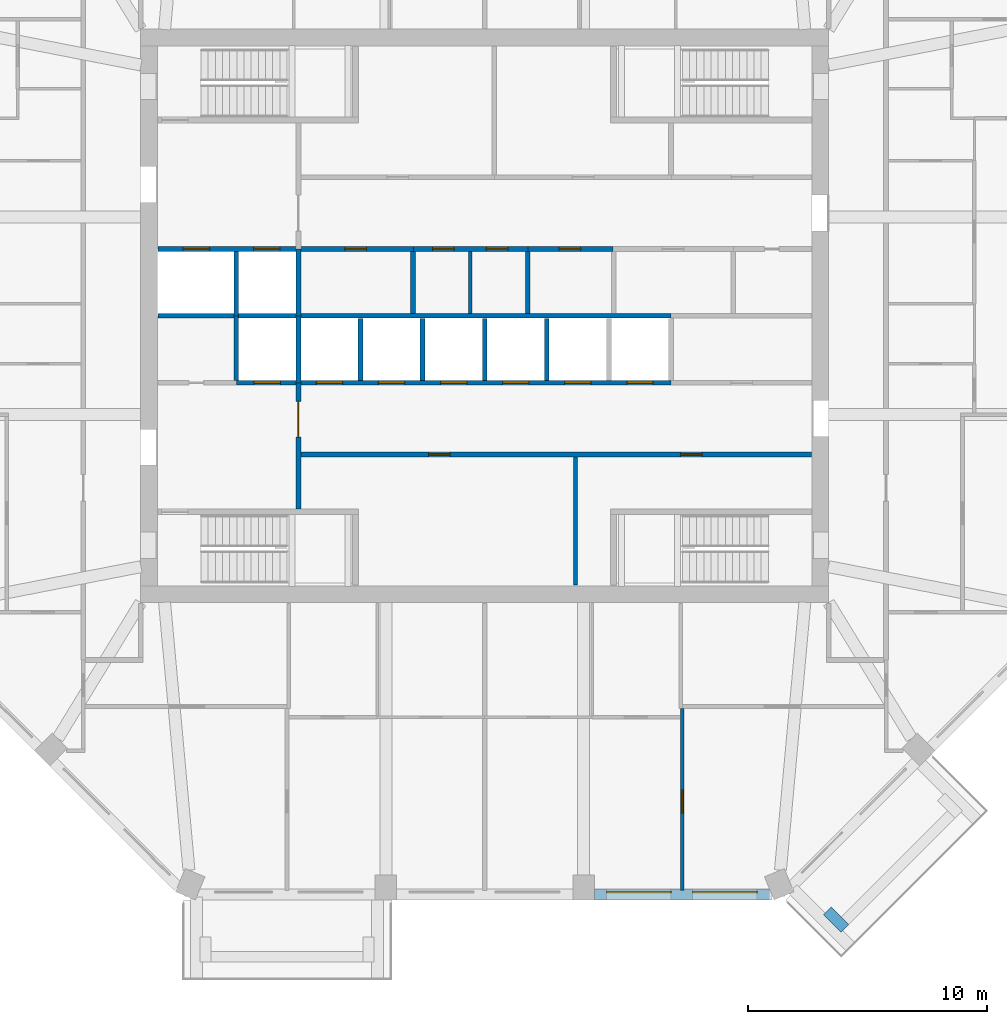
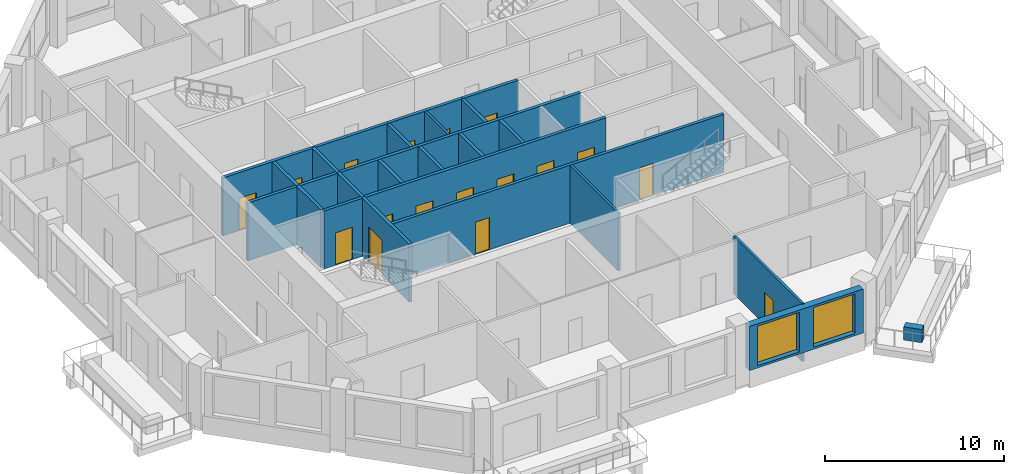
# One storey, part 4 of 10: 23 walls, 17 doors, 2 windows, 19 openings.
"""IFC4 building model written with IfcOpenShell, lengths in metres."""

from ifc_helpers import new_model, si_unit, direction, frame, frame_2d, origin, place, context, subcontext, project, spatial, rectangle, extrude, material, layer, layer_set, type_object, element, fill, save


model = new_model("IFC4")

# Units and contexts
model_context = context("Model", 3, precision=1e-05, world=origin(), true_north=direction((0.0, 1.0)))
body_context = subcontext(model_context, "Body", "Model", "MODEL_VIEW")
ifc_project = project(units=[si_unit("LENGTHUNIT", "METRE"), si_unit("AREAUNIT", "SQUARE_METRE"), si_unit("VOLUMEUNIT", "CUBIC_METRE"), si_unit("PLANEANGLEUNIT", "RADIAN"), si_unit("MASSUNIT", "GRAM", prefix="KILO")], contexts=[model_context])

# Site, building, storey
site_placement = place(None, origin())
site = spatial("IfcSite", under=ifc_project, at=site_placement, CompositionType="ELEMENT")
building_placement = place(site_placement, origin())
building = spatial("IfcBuilding", under=site, at=building_placement, Name="Msitu Wima Residences", CompositionType="ELEMENT")
storey_placement = place(building_placement, frame((0.0, 0.0, 191.699951171875)))
storey = spatial("IfcBuildingStorey", under=building, at=storey_placement, Name="L44", CompositionType="ELEMENT", Elevation=191.699951171875)

# Wall
ifc_material_1 = material(Name="Facing brick")
ifc_layer_1 = layer(ifc_material_1, 0.06494140625, Name="Facing brick")
ifc_material_2 = material(Name="Concrete C40/50", Category="concrete")
ifc_layer_2 = layer(ifc_material_2, 0.156005859375, Name="Concrete C40/50")
ifc_material_3 = material(Name="Waterproofing membrane")
ifc_layer_3 = layer(ifc_material_3, 0.00390625, Name="Waterproofing membrane")
ifc_material_4 = material(Name="Planting soil and planting")
ifc_layer_4 = layer(ifc_material_4, 0.22509765625, Name="Planting soil and planting")
ifc_layer_set_1 = layer_set([ifc_layer_1, ifc_layer_2, ifc_layer_3, ifc_layer_4], Name="Concrete C40/50")
wall_type_1 = type_object("IfcWallType", Name="Balcony planter PLANTER PL450", PredefinedType="USERDEFINED", material=ifc_layer_set_1)
wall_1_placement = place(storey_placement, frame((14.338623046875, -24.901611328125, 0.0), z_axis=(0.0, 0.0, 1.0), x_axis=(0.707106781187, -0.707106781187, 0.0)))
element("IfcWall", 1, at=wall_1_placement, inside=storey, type_object=wall_type_1, Name="Balcony planter SE0 L44", ObjectType="PLANTER", PredefinedType="USERDEFINED", context=body_context, shape_type="SweptSolid", body=[
    extrude(rectangle(XDim=1.050048828125, YDim=0.449951171875, at=frame_2d((0.52490234375, 0.0))), origin(), (0.0, 0.0, 1.0), 0.900146484375),
])

# Wall, openings, windows
ifc_material_5 = material(Name="Brick (red buff mix)", Category="masonry")
ifc_layer_5 = layer(ifc_material_5, 0.449951171875)
ifc_layer_set_2 = layer_set([ifc_layer_5], Name="Brick (red buff mix)")
wall_type_2 = type_object("IfcWallType", Name="Brick infill wall BW450", PredefinedType="SOLIDWALL", material=ifc_layer_set_2)
wall_2_placement = place(storey_placement, frame((4.587158203125, -24.22509765625, 0.900146484375), z_axis=(0.0, 0.0, 1.0), x_axis=(1.0, 0.0, 0.0)))
wall_2 = element("IfcWall", 2, at=wall_2_placement, inside=storey, type_object=wall_type_2, Name="Brick infill wall L44 S2", PredefinedType="SOLIDWALL", context=body_context, shape_type="SweptSolid", body=[
    extrude(rectangle(XDim=7.337646484375, YDim=0.449951171875, at=frame_2d((3.6689453125, 0.0))), origin(), (0.0, 0.0, 1.0), 3.0),
])
opening_1_placement = place(wall_2_placement, frame((0.518798828125, 0.0, 0.14990234375)))
opening_1 = element("IfcOpeningElement", 3, at=opening_1_placement, cuts=wall_2, Name="Opening W43-45.020", PredefinedType="OPENING", context=body_context, shape_type="SweptSolid", body=[
    extrude(rectangle(XDim=2.699951171875, YDim=2.699951171875, at=frame_2d((1.35009765625, 1.35009765625))), frame((0.0, 0.23486328125, 0.0), z_axis=(0.0, -1.0, 0.0), x_axis=(1.0, 0.0, 0.0)), (0.0, 0.0, 1.0), 0.469970703125),
])
opening_2_placement = place(wall_2_placement, frame((4.11865234375, 0.0, 0.14990234375)))
opening_2 = element("IfcOpeningElement", 4, at=opening_2_placement, cuts=wall_2, Name="Opening W43-45.021", PredefinedType="OPENING", context=body_context, shape_type="SweptSolid", body=[
    extrude(rectangle(XDim=2.699951171875, YDim=2.699951171875, at=frame_2d((1.35009765625, 1.35009765625))), frame((0.0, 0.23486328125, 0.0), z_axis=(0.0, -1.0, 0.0), x_axis=(1.0, 0.0, 0.0)), (0.0, 0.0, 1.0), 0.469970703125),
])
ifc_material_6 = material(Name="Anodised aluminium, bronze finish, clear low-emissivity double glazing", Category="aluminium")
window_type = type_object("IfcWindowType", Name="Window W2700x2700", PartitioningType="DOUBLE_PANEL_VERTICAL", PredefinedType="WINDOW", material=ifc_material_6)
window_1_placement = place(opening_1_placement, origin())
window_1 = element("IfcWindow", 5, at=window_1_placement, inside=storey, type_object=window_type, Name="Window L44 S2.1", OverallHeight=2.699951171875, OverallWidth=2.699951171875, PartitioningType="SINGLE_PANEL", PredefinedType="WINDOW", context=body_context, shape_type="SweptSolid", body=[
    extrude(rectangle(XDim=2.699951171875, YDim=2.699951171875, at=frame_2d((1.35009765625, 1.35009765625))), frame((0.0, 0.135009765625, 0.0), z_axis=(0.0, -1.0, 0.0), x_axis=(1.0, 0.0, 0.0)), (0.0, 0.0, 1.0), 0.06005859375),
])
fill(opening_1, window_1)
window_2_placement = place(opening_2_placement, origin())
window_2 = element("IfcWindow", 6, at=window_2_placement, inside=storey, type_object=window_type, Name="Window L44 S2.2", OverallHeight=2.699951171875, OverallWidth=2.699951171875, PartitioningType="SINGLE_PANEL", PredefinedType="WINDOW", context=body_context, shape_type="SweptSolid", body=[
    extrude(rectangle(XDim=2.699951171875, YDim=2.699951171875, at=frame_2d((1.35009765625, 1.35009765625))), frame((0.0, 0.135009765625, 0.0), z_axis=(0.0, -1.0, 0.0), x_axis=(1.0, 0.0, 0.0)), (0.0, 0.0, 1.0), 0.06005859375),
])
fill(opening_2, window_2)

# Wall, opening, door
ifc_material_7 = material(Name="Plaster")
ifc_layer_6 = layer(ifc_material_7, 0.011962890625, Name="Plaster")
ifc_material_8 = material(Name="Concrete blockwork", Category="masonry")
ifc_layer_7 = layer(ifc_material_8, 0.176025390625, Name="Concrete blockwork")
ifc_layer_8 = layer(ifc_material_7, 0.011962890625, Name="Plaster")
ifc_layer_set_3 = layer_set([ifc_layer_6, ifc_layer_7, ifc_layer_8], Name="Concrete blockwork")
wall_type_3 = type_object("IfcWallType", Name="Corridor wall FW200", PredefinedType="PARTITIONING", material=ifc_layer_set_3)
wall_3_placement = place(storey_placement, frame((-7.800048828125, -8.074951171875, 0.0), z_axis=(0.0, 0.0, 1.0), x_axis=(0.0, 1.0, 0.0)))
wall_3 = element("IfcWall", 7, at=wall_3_placement, inside=storey, type_object=wall_type_3, Name="Corridor wall", PredefinedType="PARTITIONING", context=body_context, shape_type="SweptSolid", body=[
    extrude(rectangle(XDim=5.27490234375, YDim=0.199951171875, at=frame_2d((2.637451171875, 0.0))), origin(), (0.0, 0.0, 1.0), 3.949951171875),
])
opening_3_placement = place(wall_3_placement, frame((3.0, 0.0, 0.0)))
opening_3 = element("IfcOpeningElement", 8, at=opening_3_placement, cuts=wall_3, Name="Opening D43-45.054", PredefinedType="OPENING", context=body_context, shape_type="SweptSolid", body=[
    extrude(rectangle(XDim=1.5, YDim=2.39990234375, at=frame_2d((0.75, 1.199951171875))), frame((0.0, 0.10986328125, 0.0), z_axis=(0.0, -1.0, 0.0), x_axis=(1.0, 0.0, 0.0)), (0.0, 0.0, 1.0), 0.219970703125),
])
ifc_material_9 = material(Name="Steel framed glazed door, fire resisting", Category="steel")
door_type_1 = type_object("IfcDoorType", Name="Lobby door D07 1500x2400", OperationType="DOUBLE_DOOR_SINGLE_SWING", PredefinedType="DOOR", material=ifc_material_9)
door_1_placement = place(opening_3_placement, origin())
door_1 = element("IfcDoor", 9, at=door_1_placement, inside=storey, type_object=door_type_1, Name="Lobby door", OperationType="DOUBLE_DOOR_SINGLE_SWING", OverallHeight=2.39990234375, OverallWidth=1.5, PredefinedType="DOOR", context=body_context, shape_type="SweptSolid", body=[
    extrude(rectangle(XDim=1.5, YDim=2.39990234375, at=frame_2d((0.75, 1.199951171875))), frame((0.0, 0.02490234375, 0.0), z_axis=(0.0, -1.0, 0.0), x_axis=(1.0, 0.0, 0.0)), (0.0, 0.0, 1.0), 0.050048828125),
])
fill(opening_3, door_1)

# Wall, openings, doors
wall_4_placement = place(storey_placement, frame((-7.699951171875, -5.800048828125, 0.0), z_axis=(0.0, 0.0, 1.0), x_axis=(1.0, 0.0, 0.0)))
wall_4 = element("IfcWall", 10, at=wall_4_placement, inside=storey, type_object=wall_type_3, Name="Corridor wall", PredefinedType="PARTITIONING", context=body_context, shape_type="SweptSolid", body=[
    extrude(rectangle(XDim=21.369873046875, YDim=0.199951171875, at=frame_2d((10.68505859375, 0.0))), origin(), (0.0, 0.0, 1.0), 3.949951171875),
])
opening_4_placement = place(wall_4_placement, frame((5.35009765625, 0.0, 0.0)))
opening_4 = element("IfcOpeningElement", 11, at=opening_4_placement, cuts=wall_4, Name="Opening D43-45.058", PredefinedType="OPENING", context=body_context, shape_type="SweptSolid", body=[
    extrude(rectangle(XDim=0.89990234375, YDim=2.199951171875, at=frame_2d((0.449951171875, 1.10009765625))), frame((0.0, 0.10986328125, 0.0), z_axis=(0.0, -1.0, 0.0), x_axis=(1.0, 0.0, 0.0)), (0.0, 0.0, 1.0), 0.219970703125),
])
opening_5_placement = place(wall_4_placement, frame((15.89990234375, 0.0, 0.0)))
opening_5 = element("IfcOpeningElement", 12, at=opening_5_placement, cuts=wall_4, Name="Opening D43-45.059", PredefinedType="OPENING", context=body_context, shape_type="SweptSolid", body=[
    extrude(rectangle(XDim=0.89990234375, YDim=2.199951171875, at=frame_2d((0.449951171875, 1.10009765625))), frame((0.0, 0.10986328125, 0.0), z_axis=(0.0, -1.0, 0.0), x_axis=(1.0, 0.0, 0.0)), (0.0, 0.0, 1.0), 0.219970703125),
])
ifc_material_10 = material(Name="Timber flush door", Category="wood")
door_type_2 = type_object("IfcDoorType", Name="Service door D05 900x2200", OperationType="SINGLE_SWING_LEFT", PredefinedType="DOOR", material=ifc_material_10)
door_2_placement = place(opening_4_placement, origin())
door_2 = element("IfcDoor", 13, at=door_2_placement, inside=storey, type_object=door_type_2, Name="Service door", OperationType="SINGLE_SWING_RIGHT", OverallHeight=2.199951171875, OverallWidth=0.89990234375, PredefinedType="DOOR", context=body_context, shape_type="SweptSolid", body=[
    extrude(rectangle(XDim=0.89990234375, YDim=2.199951171875, at=frame_2d((0.449951171875, 1.10009765625))), frame((0.0, 0.02490234375, 0.0), z_axis=(0.0, -1.0, 0.0), x_axis=(1.0, 0.0, 0.0)), (0.0, 0.0, 1.0), 0.050048828125),
])
fill(opening_4, door_2)
door_3_placement = place(opening_5_placement, origin())
door_3 = element("IfcDoor", 14, at=door_3_placement, inside=storey, type_object=door_type_2, Name="Service door", OperationType="SINGLE_SWING_LEFT", OverallHeight=2.199951171875, OverallWidth=0.89990234375, PredefinedType="DOOR", context=body_context, shape_type="SweptSolid", body=[
    extrude(rectangle(XDim=0.89990234375, YDim=2.199951171875, at=frame_2d((0.449951171875, 1.10009765625))), frame((0.0, 0.02490234375, 0.0), z_axis=(0.0, -1.0, 0.0), x_axis=(1.0, 0.0, 0.0)), (0.0, 0.0, 1.0), 0.050048828125),
])
fill(opening_5, door_3)

wall_5_placement = place(storey_placement, frame((-2.97998046875, 2.800048828125, 0.0), z_axis=(0.0, 0.0, 1.0), x_axis=(1.0, 0.0, 0.0)))
wall_5 = element("IfcWall", 15, at=wall_5_placement, inside=storey, type_object=wall_type_3, Name="Corridor wall", PredefinedType="PARTITIONING", context=body_context, shape_type="SweptSolid", body=[
    extrude(rectangle(XDim=4.800048828125, YDim=0.199951171875, at=frame_2d((2.39990234375, 0.0))), origin(), (0.0, 0.0, 1.0), 3.949951171875),
])
opening_6_placement = place(wall_5_placement, frame((0.800048828125, 0.0, 0.0)))
opening_6 = element("IfcOpeningElement", 16, at=opening_6_placement, cuts=wall_5, Name="Opening D43-45.063", PredefinedType="OPENING", context=body_context, shape_type="SweptSolid", body=[
    extrude(rectangle(XDim=0.89990234375, YDim=2.199951171875, at=frame_2d((0.449951171875, 1.10009765625))), frame((0.0, 0.10986328125, 0.0), z_axis=(0.0, -1.0, 0.0), x_axis=(1.0, 0.0, 0.0)), (0.0, 0.0, 1.0), 0.219970703125),
])
opening_7_placement = place(wall_5_placement, frame((3.050048828125, 0.0, 0.0)))
opening_7 = element("IfcOpeningElement", 17, at=opening_7_placement, cuts=wall_5, Name="Opening D43-45.064", PredefinedType="OPENING", context=body_context, shape_type="SweptSolid", body=[
    extrude(rectangle(XDim=0.89990234375, YDim=2.199951171875, at=frame_2d((0.449951171875, 1.10009765625))), frame((0.0, 0.10986328125, 0.0), z_axis=(0.0, -1.0, 0.0), x_axis=(1.0, 0.0, 0.0)), (0.0, 0.0, 1.0), 0.219970703125),
])
door_4_placement = place(opening_6_placement, origin())
door_4 = element("IfcDoor", 18, at=door_4_placement, inside=storey, type_object=door_type_2, Name="Service door", OperationType="SINGLE_SWING_LEFT", OverallHeight=2.199951171875, OverallWidth=0.89990234375, PredefinedType="DOOR", context=body_context, shape_type="SweptSolid", body=[
    extrude(rectangle(XDim=0.89990234375, YDim=2.199951171875, at=frame_2d((0.449951171875, 1.10009765625))), frame((0.0, 0.02490234375, 0.0), z_axis=(0.0, -1.0, 0.0), x_axis=(1.0, 0.0, 0.0)), (0.0, 0.0, 1.0), 0.050048828125),
])
fill(opening_6, door_4)
door_5_placement = place(opening_7_placement, origin())
door_5 = element("IfcDoor", 19, at=door_5_placement, inside=storey, type_object=door_type_2, Name="Service door", OperationType="SINGLE_SWING_RIGHT", OverallHeight=2.199951171875, OverallWidth=0.89990234375, PredefinedType="DOOR", context=body_context, shape_type="SweptSolid", body=[
    extrude(rectangle(XDim=0.89990234375, YDim=2.199951171875, at=frame_2d((0.449951171875, 1.10009765625))), frame((0.0, 0.02490234375, 0.0), z_axis=(0.0, -1.0, 0.0), x_axis=(1.0, 0.0, 0.0)), (0.0, 0.0, 1.0), 0.050048828125),
])
fill(opening_7, door_5)

# Walls
ifc_layer_9 = layer(ifc_material_7, 0.011962890625, Name="Plaster")
ifc_layer_10 = layer(ifc_material_8, 0.1259765625, Name="Concrete blockwork")
ifc_layer_11 = layer(ifc_material_7, 0.011962890625, Name="Plaster")
ifc_layer_set_4 = layer_set([ifc_layer_9, ifc_layer_10, ifc_layer_11], Name="Concrete blockwork")
wall_type_4 = type_object("IfcWallType", Name="Partition PW150", PredefinedType="PARTITIONING", material=ifc_layer_set_4)
wall_6_placement = place(storey_placement, frame((-0.60009765625, 0.10009765625, 0.0), z_axis=(0.0, 0.0, 1.0), x_axis=(0.0, 1.0, 0.0)))
element("IfcWall", 20, at=wall_6_placement, inside=storey, type_object=wall_type_4, Name="Partition", PredefinedType="PARTITIONING", context=body_context, shape_type="SweptSolid", body=[
    extrude(rectangle(XDim=2.599853515625, YDim=0.14990234375, at=frame_2d((1.2998046875, 0.0))), origin(), (0.0, 0.0, 1.0), 3.949951171875),
])
wall_7_placement = place(storey_placement, frame((3.800048828125, -11.27001953125, 0.0), z_axis=(0.0, 0.0, 1.0), x_axis=(0.0, 1.0, 0.0)))
element("IfcWall", 21, at=wall_7_placement, inside=storey, type_object=wall_type_4, Name="Partition", PredefinedType="PARTITIONING", context=body_context, shape_type="SweptSolid", body=[
    extrude(rectangle(XDim=5.3701171875, YDim=0.14990234375, at=frame_2d((2.68505859375, 0.0))), origin(), (0.0, 0.0, 1.0), 3.949951171875),
])

# Wall, opening, door
wall_8_placement = place(storey_placement, frame((8.2744140625, -24.054931640625, 0.0), z_axis=(0.0, 0.0, 1.0), x_axis=(0.0, 1.0, 0.0)))
wall_8 = element("IfcWall", 22, at=wall_8_placement, inside=storey, type_object=wall_type_4, Name="Partition", PredefinedType="PARTITIONING", context=body_context, shape_type="SweptSolid", body=[
    extrude(rectangle(XDim=7.6298828125, YDim=0.14990234375, at=frame_2d((3.81494140625, 0.0))), origin(), (0.0, 0.0, 1.0), 3.949951171875),
])
opening_8_placement = place(wall_8_placement, frame((3.25, 0.0, 0.0)))
opening_8 = element("IfcOpeningElement", 23, at=opening_8_placement, cuts=wall_8, Name="Opening D43-45.013", PredefinedType="OPENING", context=body_context, shape_type="SweptSolid", body=[
    extrude(rectangle(XDim=0.949951171875, YDim=2.199951171875, at=frame_2d((0.47509765625, 1.10009765625))), frame((0.0, 0.0849609375, 0.0), z_axis=(0.0, -1.0, 0.0), x_axis=(1.0, 0.0, 0.0)), (0.0, 0.0, 1.0), 0.169921875),
])
door_type_3 = type_object("IfcDoorType", Name="Room door D12 950x2200", OperationType="SINGLE_SWING_LEFT", PredefinedType="DOOR", material=ifc_material_10)
door_6_placement = place(opening_8_placement, origin())
door_6 = element("IfcDoor", 24, at=door_6_placement, inside=storey, type_object=door_type_3, Name="Room door", OperationType="SINGLE_SWING_RIGHT", OverallHeight=2.199951171875, OverallWidth=0.949951171875, PredefinedType="DOOR", context=body_context, shape_type="SweptSolid", body=[
    extrude(rectangle(XDim=0.949951171875, YDim=2.199951171875, at=frame_2d((0.47509765625, 1.10009765625))), frame((0.0, 0.02490234375, 0.0), z_axis=(0.0, -1.0, 0.0), x_axis=(1.0, 0.0, 0.0)), (0.0, 0.0, 1.0), 0.050048828125),
])
fill(opening_8, door_6)

ifc_layer_12 = layer(ifc_material_7, 0.011962890625, Name="Plaster")
ifc_material_11 = material(Name="Reinforced concrete blockwork", Category="masonry")
ifc_layer_13 = layer(ifc_material_11, 0.176025390625, Name="Reinforced concrete blockwork")
ifc_layer_14 = layer(ifc_material_7, 0.011962890625, Name="Plaster")
ifc_layer_set_5 = layer_set([ifc_layer_12, ifc_layer_13, ifc_layer_14], Name="Reinforced concrete blockwork")
wall_type_5 = type_object("IfcWallType", Name="Plant and riser wall PL200", PredefinedType="PARTITIONING", material=ifc_layer_set_5)
wall_9_placement = place(storey_placement, frame((-7.800048828125, 2.800048828125, 0.0), z_axis=(0.0, 0.0, 1.0), x_axis=(1.0, 0.0, 0.0)))
wall_9 = element("IfcWall", 25, at=wall_9_placement, inside=storey, type_object=wall_type_5, Name="Plant and riser wall", PredefinedType="PARTITIONING", context=body_context, shape_type="SweptSolid", body=[
    extrude(rectangle(XDim=4.820068359375, YDim=0.199951171875, at=frame_2d((2.41015625, 0.0))), origin(), (0.0, 0.0, 1.0), 3.949951171875),
])
opening_9_placement = place(wall_9_placement, frame((1.949951171875, 0.0, 0.0)))
opening_9 = element("IfcOpeningElement", 26, at=opening_9_placement, cuts=wall_9, Name="Opening D43-45.062", PredefinedType="OPENING", context=body_context, shape_type="SweptSolid", body=[
    extrude(rectangle(XDim=0.89990234375, YDim=2.199951171875, at=frame_2d((0.449951171875, 1.10009765625))), frame((0.0, 0.10986328125, 0.0), z_axis=(0.0, -1.0, 0.0), x_axis=(1.0, 0.0, 0.0)), (0.0, 0.0, 1.0), 0.219970703125),
])
door_7_placement = place(opening_9_placement, origin())
door_7 = element("IfcDoor", 27, at=door_7_placement, inside=storey, type_object=door_type_2, Name="Service door", OperationType="SINGLE_SWING_RIGHT", OverallHeight=2.199951171875, OverallWidth=0.89990234375, PredefinedType="DOOR", context=body_context, shape_type="SweptSolid", body=[
    extrude(rectangle(XDim=0.89990234375, YDim=2.199951171875, at=frame_2d((0.449951171875, 1.10009765625))), frame((0.0, 0.02490234375, 0.0), z_axis=(0.0, -1.0, 0.0), x_axis=(1.0, 0.0, 0.0)), (0.0, 0.0, 1.0), 0.050048828125),
])
fill(opening_9, door_7)

# Wall
wall_10_placement = place(storey_placement, frame((-3.0, 0.10009765625, 0.0), z_axis=(0.0, 0.0, 1.0), x_axis=(0.0, 1.0, 0.0)))
element("IfcWall", 28, at=wall_10_placement, inside=storey, type_object=wall_type_5, Name="Plant and riser wall", PredefinedType="PARTITIONING", context=body_context, shape_type="SweptSolid", body=[
    extrude(rectangle(XDim=2.599853515625, YDim=0.199951171875, at=frame_2d((1.2998046875, 0.0))), origin(), (0.0, 0.0, 1.0), 3.949951171875),
])

# Wall, opening, door
wall_11_placement = place(storey_placement, frame((1.820068359375, 2.800048828125, 0.0), z_axis=(0.0, 0.0, 1.0), x_axis=(1.0, 0.0, 0.0)))
wall_11 = element("IfcWall", 29, at=wall_11_placement, inside=storey, type_object=wall_type_5, Name="Plant and riser wall", PredefinedType="PARTITIONING", context=body_context, shape_type="SweptSolid", body=[
    extrude(rectangle(XDim=3.559814453125, YDim=0.199951171875, at=frame_2d((1.77978515625, 0.0))), origin(), (0.0, 0.0, 1.0), 3.949951171875),
])
opening_10_placement = place(wall_11_placement, frame((1.300048828125, 0.0, 0.0)))
opening_10 = element("IfcOpeningElement", 30, at=opening_10_placement, cuts=wall_11, Name="Opening D43-45.065", PredefinedType="OPENING", context=body_context, shape_type="SweptSolid", body=[
    extrude(rectangle(XDim=0.89990234375, YDim=2.199951171875, at=frame_2d((0.449951171875, 1.10009765625))), frame((0.0, 0.10986328125, 0.0), z_axis=(0.0, -1.0, 0.0), x_axis=(1.0, 0.0, 0.0)), (0.0, 0.0, 1.0), 0.219970703125),
])
door_8_placement = place(opening_10_placement, origin())
door_8 = element("IfcDoor", 31, at=door_8_placement, inside=storey, type_object=door_type_2, Name="Service door", OperationType="SINGLE_SWING_RIGHT", OverallHeight=2.199951171875, OverallWidth=0.89990234375, PredefinedType="DOOR", context=body_context, shape_type="SweptSolid", body=[
    extrude(rectangle(XDim=0.89990234375, YDim=2.199951171875, at=frame_2d((0.449951171875, 1.10009765625))), frame((0.0, 0.02490234375, 0.0), z_axis=(0.0, -1.0, 0.0), x_axis=(1.0, 0.0, 0.0)), (0.0, 0.0, 1.0), 0.050048828125),
])
fill(opening_10, door_8)

# Walls
wall_12_placement = place(storey_placement, frame((1.800048828125, 0.10009765625, 0.0), z_axis=(0.0, 0.0, 1.0), x_axis=(0.0, 1.0, 0.0)))
element("IfcWall", 32, at=wall_12_placement, inside=storey, type_object=wall_type_5, Name="Plant and riser wall", PredefinedType="PARTITIONING", context=body_context, shape_type="SweptSolid", body=[
    extrude(rectangle(XDim=2.599853515625, YDim=0.199951171875, at=frame_2d((1.2998046875, 0.0))), origin(), (0.0, 0.0, 1.0), 3.949951171875),
])
ifc_material_12 = material(Name="Fire-rated board")
ifc_layer_15 = layer(ifc_material_12, 0.02490234375, Name="Fire-rated board")
ifc_material_13 = material(Name="Light-gauge stud framing with mineral wool")
ifc_layer_16 = layer(ifc_material_13, 0.14990234375, Name="Light-gauge stud framing with mineral wool")
ifc_layer_17 = layer(ifc_material_12, 0.02490234375, Name="Fire-rated board")
ifc_layer_set_6 = layer_set([ifc_layer_15, ifc_layer_16, ifc_layer_17], Name="Light-gauge stud framing with mineral wool")
wall_type_6 = type_object("IfcWallType", Name="Shaft wall SH200", PredefinedType="PARTITIONING", material=ifc_layer_set_6)
wall_13_placement = place(storey_placement, frame((-13.669921875, 0.0, 0.0), z_axis=(0.0, 0.0, 1.0), x_axis=(1.0, 0.0, 0.0)))
element("IfcWall", 33, at=wall_13_placement, inside=storey, type_object=wall_type_6, Name="Shaft wall", PredefinedType="PARTITIONING", context=body_context, shape_type="SweptSolid", body=[
    extrude(rectangle(XDim=21.469970703125, YDim=0.199951171875, at=frame_2d((10.73486328125, 0.0))), origin(), (0.0, 0.0, 1.0), 3.949951171875),
])

# Wall, openings, doors
wall_14_placement = place(storey_placement, frame((-13.669921875, 2.800048828125, 0.0), z_axis=(0.0, 0.0, 1.0), x_axis=(1.0, 0.0, 0.0)))
wall_14 = element("IfcWall", 34, at=wall_14_placement, inside=storey, type_object=wall_type_6, Name="Shaft wall", PredefinedType="PARTITIONING", context=body_context, shape_type="SweptSolid", body=[
    extrude(rectangle(XDim=5.869873046875, YDim=0.199951171875, at=frame_2d((2.93505859375, 0.0))), origin(), (0.0, 0.0, 1.0), 3.949951171875),
])
opening_11_placement = place(wall_14_placement, frame((1.050048828125, 0.0, 0.0)))
opening_11 = element("IfcOpeningElement", 35, at=opening_11_placement, cuts=wall_14, Name="Opening LD", PredefinedType="OPENING", context=body_context, shape_type="SweptSolid", body=[
    extrude(rectangle(XDim=1.10009765625, YDim=2.199951171875, at=frame_2d((0.550048828125, 1.10009765625))), frame((0.0, 0.10986328125, 0.0), z_axis=(0.0, -1.0, 0.0), x_axis=(1.0, 0.0, 0.0)), (0.0, 0.0, 1.0), 0.219970703125),
])
opening_12_placement = place(wall_14_placement, frame((4.0, 0.0, 0.0)))
opening_12 = element("IfcOpeningElement", 36, at=opening_12_placement, cuts=wall_14, Name="Opening LD", PredefinedType="OPENING", context=body_context, shape_type="SweptSolid", body=[
    extrude(rectangle(XDim=1.10009765625, YDim=2.199951171875, at=frame_2d((0.550048828125, 1.10009765625))), frame((0.0, 0.10986328125, 0.0), z_axis=(0.0, -1.0, 0.0), x_axis=(1.0, 0.0, 0.0)), (0.0, 0.0, 1.0), 0.219970703125),
])
ifc_material_14 = material(Name="Stainless steel centre-opening landing door, rated", Category="steel")
door_type_4 = type_object("IfcDoorType", Name="Lift landing door LD 1100x2200", OperationType="DOUBLE_DOOR_SLIDING", PredefinedType="DOOR", material=ifc_material_14)
door_9_placement = place(opening_11_placement, origin())
door_9 = element("IfcDoor", 37, at=door_9_placement, inside=storey, type_object=door_type_4, Name="Lift landing door LD1", OperationType="DOUBLE_DOOR_SLIDING", OverallHeight=2.199951171875, OverallWidth=1.10009765625, PredefinedType="DOOR", context=body_context, shape_type="SweptSolid", body=[
    extrude(rectangle(XDim=1.10009765625, YDim=2.199951171875, at=frame_2d((0.550048828125, 1.10009765625))), frame((0.0, 0.02490234375, 0.0), z_axis=(0.0, -1.0, 0.0), x_axis=(1.0, 0.0, 0.0)), (0.0, 0.0, 1.0), 0.050048828125),
])
fill(opening_11, door_9)
door_10_placement = place(opening_12_placement, origin())
door_10 = element("IfcDoor", 38, at=door_10_placement, inside=storey, type_object=door_type_4, Name="Lift landing door LD2", OperationType="DOUBLE_DOOR_SLIDING", OverallHeight=2.199951171875, OverallWidth=1.10009765625, PredefinedType="DOOR", context=body_context, shape_type="SweptSolid", body=[
    extrude(rectangle(XDim=1.10009765625, YDim=2.199951171875, at=frame_2d((0.550048828125, 1.10009765625))), frame((0.0, 0.02490234375, 0.0), z_axis=(0.0, -1.0, 0.0), x_axis=(1.0, 0.0, 0.0)), (0.0, 0.0, 1.0), 0.050048828125),
])
fill(opening_12, door_10)

# Wall
wall_15_placement = place(storey_placement, frame((-10.39990234375, -2.699951171875, 0.0), z_axis=(0.0, 0.0, 1.0), x_axis=(0.0, 1.0, 0.0)))
element("IfcWall", 39, at=wall_15_placement, inside=storey, type_object=wall_type_6, Name="Shaft wall", PredefinedType="PARTITIONING", context=body_context, shape_type="SweptSolid", body=[
    extrude(rectangle(XDim=2.699951171875, YDim=0.199951171875, at=frame_2d((1.35009765625, 0.0))), origin(), (0.0, 0.0, 1.0), 3.949951171875),
])

# Wall, openings, doors
wall_16_placement = place(storey_placement, frame((-10.39990234375, -2.800048828125, 0.0), z_axis=(0.0, 0.0, 1.0), x_axis=(1.0, 0.0, 0.0)))
wall_16 = element("IfcWall", 40, at=wall_16_placement, inside=storey, type_object=wall_type_6, Name="Shaft wall", PredefinedType="PARTITIONING", context=body_context, shape_type="SweptSolid", body=[
    extrude(rectangle(XDim=18.199951171875, YDim=0.199951171875, at=frame_2d((9.10009765625, 0.0))), origin(), (0.0, 0.0, 1.0), 3.949951171875),
])
opening_13_placement = place(wall_16_placement, frame((0.75, 0.0, 0.0)))
opening_13 = element("IfcOpeningElement", 41, at=opening_13_placement, cuts=wall_16, Name="Opening LD", PredefinedType="OPENING", context=body_context, shape_type="SweptSolid", body=[
    extrude(rectangle(XDim=1.10009765625, YDim=2.199951171875, at=frame_2d((0.550048828125, 1.10009765625))), frame((0.0, 0.10986328125, 0.0), z_axis=(0.0, -1.0, 0.0), x_axis=(1.0, 0.0, 0.0)), (0.0, 0.0, 1.0), 0.219970703125),
])
opening_14_placement = place(wall_16_placement, frame((3.35009765625, 0.0, 0.0)))
opening_14 = element("IfcOpeningElement", 42, at=opening_14_placement, cuts=wall_16, Name="Opening LD", PredefinedType="OPENING", context=body_context, shape_type="SweptSolid", body=[
    extrude(rectangle(XDim=1.10009765625, YDim=2.199951171875, at=frame_2d((0.550048828125, 1.10009765625))), frame((0.0, 0.10986328125, 0.0), z_axis=(0.0, -1.0, 0.0), x_axis=(1.0, 0.0, 0.0)), (0.0, 0.0, 1.0), 0.219970703125),
])
opening_15_placement = place(wall_16_placement, frame((5.949951171875, 0.0, 0.0)))
opening_15 = element("IfcOpeningElement", 43, at=opening_15_placement, cuts=wall_16, Name="Opening LD", PredefinedType="OPENING", context=body_context, shape_type="SweptSolid", body=[
    extrude(rectangle(XDim=1.10009765625, YDim=2.199951171875, at=frame_2d((0.550048828125, 1.10009765625))), frame((0.0, 0.10986328125, 0.0), z_axis=(0.0, -1.0, 0.0), x_axis=(1.0, 0.0, 0.0)), (0.0, 0.0, 1.0), 0.219970703125),
])
opening_16_placement = place(wall_16_placement, frame((8.550048828125, 0.0, 0.0)))
opening_16 = element("IfcOpeningElement", 44, at=opening_16_placement, cuts=wall_16, Name="Opening LD", PredefinedType="OPENING", context=body_context, shape_type="SweptSolid", body=[
    extrude(rectangle(XDim=1.10009765625, YDim=2.199951171875, at=frame_2d((0.550048828125, 1.10009765625))), frame((0.0, 0.10986328125, 0.0), z_axis=(0.0, -1.0, 0.0), x_axis=(1.0, 0.0, 0.0)), (0.0, 0.0, 1.0), 0.219970703125),
])
opening_17_placement = place(wall_16_placement, frame((11.14990234375, 0.0, 0.0)))
opening_17 = element("IfcOpeningElement", 45, at=opening_17_placement, cuts=wall_16, Name="Opening LD", PredefinedType="OPENING", context=body_context, shape_type="SweptSolid", body=[
    extrude(rectangle(XDim=1.10009765625, YDim=2.199951171875, at=frame_2d((0.550048828125, 1.10009765625))), frame((0.0, 0.10986328125, 0.0), z_axis=(0.0, -1.0, 0.0), x_axis=(1.0, 0.0, 0.0)), (0.0, 0.0, 1.0), 0.219970703125),
])
opening_18_placement = place(wall_16_placement, frame((13.75, 0.0, 0.0)))
opening_18 = element("IfcOpeningElement", 46, at=opening_18_placement, cuts=wall_16, Name="Opening LD", PredefinedType="OPENING", context=body_context, shape_type="SweptSolid", body=[
    extrude(rectangle(XDim=1.10009765625, YDim=2.199951171875, at=frame_2d((0.550048828125, 1.10009765625))), frame((0.0, 0.10986328125, 0.0), z_axis=(0.0, -1.0, 0.0), x_axis=(1.0, 0.0, 0.0)), (0.0, 0.0, 1.0), 0.219970703125),
])
opening_19_placement = place(wall_16_placement, frame((16.35009765625, 0.0, 0.0)))
opening_19 = element("IfcOpeningElement", 47, at=opening_19_placement, cuts=wall_16, Name="Opening LD", PredefinedType="OPENING", context=body_context, shape_type="SweptSolid", body=[
    extrude(rectangle(XDim=1.10009765625, YDim=2.199951171875, at=frame_2d((0.550048828125, 1.10009765625))), frame((0.0, 0.10986328125, 0.0), z_axis=(0.0, -1.0, 0.0), x_axis=(1.0, 0.0, 0.0)), (0.0, 0.0, 1.0), 0.219970703125),
])
door_11_placement = place(opening_13_placement, origin())
door_11 = element("IfcDoor", 48, at=door_11_placement, inside=storey, type_object=door_type_4, Name="Lift landing door LD3", OperationType="DOUBLE_DOOR_SLIDING", OverallHeight=2.199951171875, OverallWidth=1.10009765625, PredefinedType="DOOR", context=body_context, shape_type="SweptSolid", body=[
    extrude(rectangle(XDim=1.10009765625, YDim=2.199951171875, at=frame_2d((0.550048828125, 1.10009765625))), frame((0.0, 0.02490234375, 0.0), z_axis=(0.0, -1.0, 0.0), x_axis=(1.0, 0.0, 0.0)), (0.0, 0.0, 1.0), 0.050048828125),
])
fill(opening_13, door_11)
door_12_placement = place(opening_14_placement, origin())
door_12 = element("IfcDoor", 49, at=door_12_placement, inside=storey, type_object=door_type_4, Name="Lift landing door LD5", OperationType="DOUBLE_DOOR_SLIDING", OverallHeight=2.199951171875, OverallWidth=1.10009765625, PredefinedType="DOOR", context=body_context, shape_type="SweptSolid", body=[
    extrude(rectangle(XDim=1.10009765625, YDim=2.199951171875, at=frame_2d((0.550048828125, 1.10009765625))), frame((0.0, 0.02490234375, 0.0), z_axis=(0.0, -1.0, 0.0), x_axis=(1.0, 0.0, 0.0)), (0.0, 0.0, 1.0), 0.050048828125),
])
fill(opening_14, door_12)
door_13_placement = place(opening_15_placement, origin())
door_13 = element("IfcDoor", 50, at=door_13_placement, inside=storey, type_object=door_type_4, Name="Lift landing door LD7", OperationType="DOUBLE_DOOR_SLIDING", OverallHeight=2.199951171875, OverallWidth=1.10009765625, PredefinedType="DOOR", context=body_context, shape_type="SweptSolid", body=[
    extrude(rectangle(XDim=1.10009765625, YDim=2.199951171875, at=frame_2d((0.550048828125, 1.10009765625))), frame((0.0, 0.02490234375, 0.0), z_axis=(0.0, -1.0, 0.0), x_axis=(1.0, 0.0, 0.0)), (0.0, 0.0, 1.0), 0.050048828125),
])
fill(opening_15, door_13)
door_14_placement = place(opening_16_placement, origin())
door_14 = element("IfcDoor", 51, at=door_14_placement, inside=storey, type_object=door_type_4, Name="Lift landing door LD9", OperationType="DOUBLE_DOOR_SLIDING", OverallHeight=2.199951171875, OverallWidth=1.10009765625, PredefinedType="DOOR", context=body_context, shape_type="SweptSolid", body=[
    extrude(rectangle(XDim=1.10009765625, YDim=2.199951171875, at=frame_2d((0.550048828125, 1.10009765625))), frame((0.0, 0.02490234375, 0.0), z_axis=(0.0, -1.0, 0.0), x_axis=(1.0, 0.0, 0.0)), (0.0, 0.0, 1.0), 0.050048828125),
])
fill(opening_16, door_14)
door_15_placement = place(opening_17_placement, origin())
door_15 = element("IfcDoor", 52, at=door_15_placement, inside=storey, type_object=door_type_4, Name="Lift landing door LD11", OperationType="DOUBLE_DOOR_SLIDING", OverallHeight=2.199951171875, OverallWidth=1.10009765625, PredefinedType="DOOR", context=body_context, shape_type="SweptSolid", body=[
    extrude(rectangle(XDim=1.10009765625, YDim=2.199951171875, at=frame_2d((0.550048828125, 1.10009765625))), frame((0.0, 0.02490234375, 0.0), z_axis=(0.0, -1.0, 0.0), x_axis=(1.0, 0.0, 0.0)), (0.0, 0.0, 1.0), 0.050048828125),
])
fill(opening_17, door_15)
door_16_placement = place(opening_18_placement, origin())
door_16 = element("IfcDoor", 53, at=door_16_placement, inside=storey, type_object=door_type_4, Name="Lift landing door LD13", OperationType="DOUBLE_DOOR_SLIDING", OverallHeight=2.199951171875, OverallWidth=1.10009765625, PredefinedType="DOOR", context=body_context, shape_type="SweptSolid", body=[
    extrude(rectangle(XDim=1.10009765625, YDim=2.199951171875, at=frame_2d((0.550048828125, 1.10009765625))), frame((0.0, 0.02490234375, 0.0), z_axis=(0.0, -1.0, 0.0), x_axis=(1.0, 0.0, 0.0)), (0.0, 0.0, 1.0), 0.050048828125),
])
fill(opening_18, door_16)
door_17_placement = place(opening_19_placement, origin())
door_17 = element("IfcDoor", 54, at=door_17_placement, inside=storey, type_object=door_type_4, Name="Lift landing door LD15", OperationType="DOUBLE_DOOR_SLIDING", OverallHeight=2.199951171875, OverallWidth=1.10009765625, PredefinedType="DOOR", context=body_context, shape_type="SweptSolid", body=[
    extrude(rectangle(XDim=1.10009765625, YDim=2.199951171875, at=frame_2d((0.550048828125, 1.10009765625))), frame((0.0, 0.02490234375, 0.0), z_axis=(0.0, -1.0, 0.0), x_axis=(1.0, 0.0, 0.0)), (0.0, 0.0, 1.0), 0.050048828125),
])
fill(opening_19, door_17)

# Walls
wall_17_placement = place(storey_placement, frame((-10.39990234375, 0.0, 0.0), z_axis=(0.0, 0.0, 1.0), x_axis=(0.0, 1.0, 0.0)))
element("IfcWall", 55, at=wall_17_placement, inside=storey, type_object=wall_type_6, Name="Shaft wall", PredefinedType="PARTITIONING", context=body_context, shape_type="SweptSolid", body=[
    extrude(rectangle(XDim=2.699951171875, YDim=0.199951171875, at=frame_2d((1.35009765625, 0.0))), origin(), (0.0, 0.0, 1.0), 3.949951171875),
])
for number, where, z_axis, x_axis, name in (
    (56, (-7.800048828125, -2.800048828125, 0.0), (0.0, 0.0, 1.0), (0.0, 1.0, 0.0), "Shaft wall"),
    (57, (-7.800048828125, 0.0, 0.0), (0.0, 0.0, 1.0), (0.0, 1.0, 0.0), "Shaft wall"),
):
    element("IfcWall", number, at=place(storey_placement, frame(where, z_axis=z_axis, x_axis=x_axis)), inside=storey, type_object=wall_type_6, Name=name, PredefinedType="PARTITIONING", context=body_context, shape_type="SweptSolid", body=[
        extrude(rectangle(XDim=2.800048828125, YDim=0.199951171875, at=frame_2d((1.39990234375, 0.0))), origin(), (0.0, 0.0, 1.0), 3.949951171875),
    ])
for number, where, z_axis, x_axis, name in (
    (58, (-5.199951171875, -2.699951171875, 0.0), (0.0, 0.0, 1.0), (0.0, 1.0, 0.0), "Shaft wall"),
    (59, (-2.60009765625, -2.699951171875, 0.0), (0.0, 0.0, 1.0), (0.0, 1.0, 0.0), "Shaft wall"),
    (60, (0.0, -2.699951171875, 0.0), (0.0, 0.0, 1.0), (0.0, 1.0, 0.0), "Shaft wall"),
    (61, (2.60009765625, -2.699951171875, 0.0), (0.0, 0.0, 1.0), (0.0, 1.0, 0.0), "Shaft wall"),
):
    element("IfcWall", number, at=place(storey_placement, frame(where, z_axis=z_axis, x_axis=x_axis)), inside=storey, type_object=wall_type_6, Name=name, PredefinedType="PARTITIONING", context=body_context, shape_type="SweptSolid", body=[
        extrude(rectangle(XDim=2.599853515625, YDim=0.199951171875, at=frame_2d((1.2998046875, 0.0))), origin(), (0.0, 0.0, 1.0), 3.949951171875),
    ])

save(model, "model.ifc")
